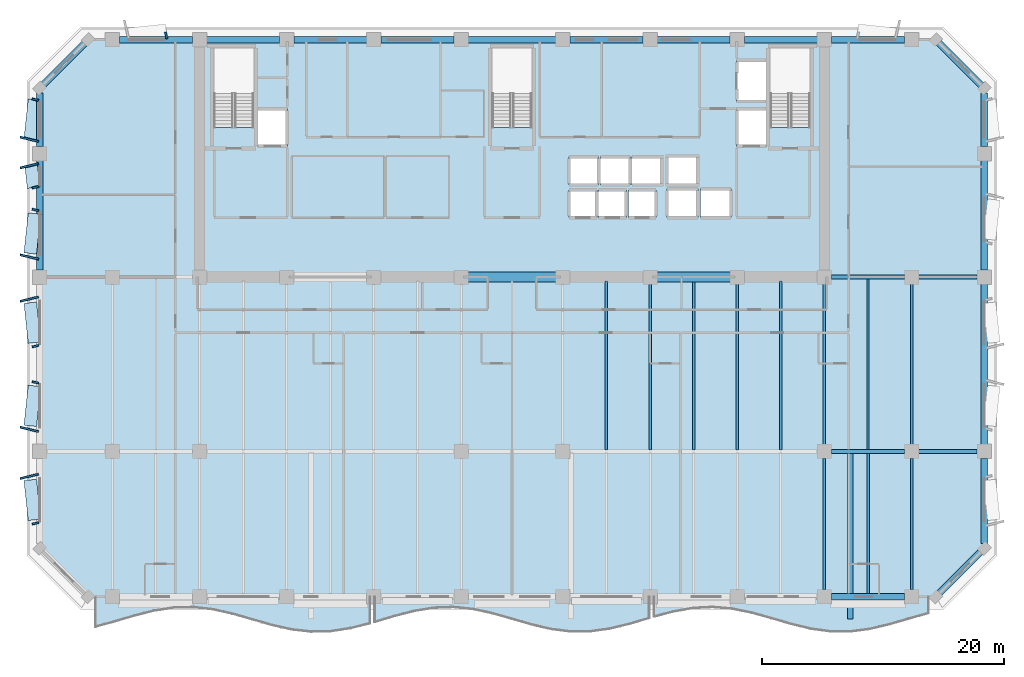
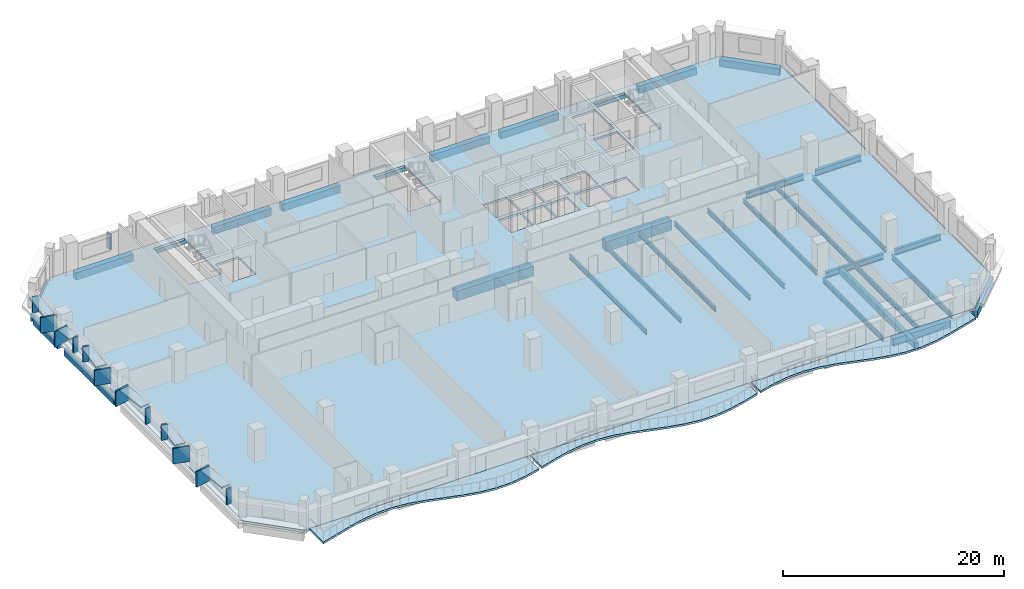
# One storey, part 2 of 14: 37 beams, 19 plates, 4 slabs.
"""IFC4 building model written with IfcOpenShell, lengths in metres."""

from ifc_helpers import new_model, si_unit, direction, frame, origin, origin_2d, place, context, subcontext, project, spatial, polyline, rectangle, i_section, outline, extrude, material, layer, layer_set, material_profile, profile_set, type_object, element, save


model = new_model("IFC4")

# Units and contexts
model_context = context("Model", 3, precision=1e-05, world=origin(), true_north=direction((0.0, 1.0)))
body_context = subcontext(model_context, "Body", "Model", "MODEL_VIEW")
ifc_project = project(units=[si_unit("LENGTHUNIT", "METRE"), si_unit("AREAUNIT", "SQUARE_METRE"), si_unit("VOLUMEUNIT", "CUBIC_METRE"), si_unit("PLANEANGLEUNIT", "RADIAN"), si_unit("MASSUNIT", "GRAM", prefix="KILO")], contexts=[model_context])

# Site, building, storey
site_placement = place(None, origin())
site = spatial("IfcSite", under=ifc_project, at=site_placement, CompositionType="ELEMENT")
building_placement = place(site_placement, origin())
building = spatial("IfcBuilding", under=site, at=building_placement, Name="Kaelvorn Grand Hotel", CompositionType="ELEMENT")
storey_placement = place(building_placement, frame((0.0, 0.0, 220.550048828125)))
storey = spatial("IfcBuildingStorey", under=building, at=storey_placement, Name="L54", CompositionType="ELEMENT", Elevation=220.550048828125)

# Beams
ifc_material_1 = material(Name="Steel S355", Category="steel")
ifc_material_profile_1 = material_profile(ifc_material_1, i_section(OverallWidth=0.300048828125, OverallDepth=0.64990234375, WebThickness=0.01611328125, FlangeThickness=0.031005859375, FilletRadius=0.027099609375, at=origin_2d()), Name="HEB 650")
ifc_profile_set_1 = profile_set([ifc_material_profile_1], Name="Steel S355")
beam_type_1 = type_object("IfcBeamType", Name="BM-G-HEB650-S355", PredefinedType="BEAM", material=ifc_profile_set_1)
beam_1_placement = place(storey_placement, frame((68.385009765625, 15.0, -0.56494140625), z_axis=(1.0, 0.0, 0.0), x_axis=(0.0, 1.0, 0.0)))
element("IfcBeam", 1, at=beam_1_placement, inside=storey, type_object=beam_type_1, Name="L54 Primary Spine Steel Girder G-15 06", PredefinedType="BEAM", context=body_context, shape_type="SweptSolid", body=[
    extrude(i_section(OverallWidth=0.300048828125, OverallDepth=0.64990234375, WebThickness=0.01611328125, FlangeThickness=0.031005859375, FilletRadius=0.027099609375, at=origin_2d()), origin(), (0.0, 0.0, 1.0), 6.030029296875),
])
beam_2_placement = place(storey_placement, frame((75.5849609375, 15.0, -0.56494140625), z_axis=(1.0, 0.0, 0.0), x_axis=(0.0, 1.0, 0.0)))
element("IfcBeam", 2, at=beam_2_placement, inside=storey, type_object=beam_type_1, Name="L54 Primary Spine Steel Girder G-15 07", PredefinedType="BEAM", context=body_context, shape_type="SweptSolid", body=[
    extrude(i_section(OverallWidth=0.300048828125, OverallDepth=0.64990234375, WebThickness=0.01611328125, FlangeThickness=0.031005859375, FilletRadius=0.027099609375, at=origin_2d()), origin(), (0.0, 0.0, 1.0), 4.830078125),
])
beam_3_placement = place(storey_placement, frame((68.385009765625, 29.39990234375, -0.56494140625), z_axis=(1.0, 0.0, 0.0), x_axis=(0.0, 1.0, 0.0)))
element("IfcBeam", 3, at=beam_3_placement, inside=storey, type_object=beam_type_1, Name="L54 East Core Wing Steel Girder G-29E 01", PredefinedType="BEAM", context=body_context, shape_type="SweptSolid", body=[
    extrude(i_section(OverallWidth=0.300048828125, OverallDepth=0.64990234375, WebThickness=0.01611328125, FlangeThickness=0.031005859375, FilletRadius=0.027099609375, at=origin_2d()), origin(), (0.0, 0.0, 1.0), 6.030029296875),
])
beam_4_placement = place(storey_placement, frame((75.5849609375, 29.39990234375, -0.56494140625), z_axis=(1.0, 0.0, 0.0), x_axis=(0.0, 1.0, 0.0)))
element("IfcBeam", 4, at=beam_4_placement, inside=storey, type_object=beam_type_1, Name="L54 East Core Wing Steel Girder G-29E 02", PredefinedType="BEAM", context=body_context, shape_type="SweptSolid", body=[
    extrude(i_section(OverallWidth=0.300048828125, OverallDepth=0.64990234375, WebThickness=0.01611328125, FlangeThickness=0.031005859375, FilletRadius=0.027099609375, at=origin_2d()), origin(), (0.0, 0.0, 1.0), 4.830078125),
])
ifc_material_profile_2 = material_profile(ifc_material_1, i_section(OverallWidth=0.199951171875, OverallDepth=0.5, WebThickness=0.01025390625, FlangeThickness=0.01611328125, FilletRadius=0.02099609375, at=origin_2d()), Name="IPE 500")
ifc_profile_set_2 = profile_set([ifc_material_profile_2], Name="Steel S355")
beam_type_2 = type_object("IfcBeamType", Name="BM-J-IPE500-S355", PredefinedType="JOIST", material=ifc_profile_set_2)
beam_5_placement = place(storey_placement, frame((49.800048828125, 15.135009765625, -0.489990234375), z_axis=(0.0, 1.0, 0.0), x_axis=(-1.0, 0.0, 0.0)))
element("IfcBeam", 5, at=beam_5_placement, inside=storey, type_object=beam_type_2, Name="L54 Composite Floor Joist JM-14", PredefinedType="JOIST", context=body_context, shape_type="SweptSolid", body=[
    extrude(i_section(OverallWidth=0.199951171875, OverallDepth=0.5, WebThickness=0.01025390625, FlangeThickness=0.01611328125, FilletRadius=0.02099609375, at=origin_2d()), origin(), (0.0, 0.0, 1.0), 13.925048828125),
])
beam_6_placement = place(storey_placement, frame((53.39990234375, 15.135009765625, -0.489990234375), z_axis=(0.0, 1.0, 0.0), x_axis=(-1.0, 0.0, 0.0)))
element("IfcBeam", 6, at=beam_6_placement, inside=storey, type_object=beam_type_2, Name="L54 Composite Floor Joist JM-15", PredefinedType="JOIST", context=body_context, shape_type="SweptSolid", body=[
    extrude(i_section(OverallWidth=0.199951171875, OverallDepth=0.5, WebThickness=0.01025390625, FlangeThickness=0.01611328125, FilletRadius=0.02099609375, at=origin_2d()), origin(), (0.0, 0.0, 1.0), 13.679931640625),
])
beam_7_placement = place(storey_placement, frame((57.0, 15.135009765625, -0.489990234375), z_axis=(0.0, 1.0, 0.0), x_axis=(-1.0, 0.0, 0.0)))
element("IfcBeam", 7, at=beam_7_placement, inside=storey, type_object=beam_type_2, Name="L54 Composite Floor Joist JM-16", PredefinedType="JOIST", context=body_context, shape_type="SweptSolid", body=[
    extrude(i_section(OverallWidth=0.199951171875, OverallDepth=0.5, WebThickness=0.01025390625, FlangeThickness=0.01611328125, FilletRadius=0.02099609375, at=origin_2d()), origin(), (0.0, 0.0, 1.0), 13.925048828125),
])
beam_8_placement = place(storey_placement, frame((60.60009765625, 15.135009765625, -0.489990234375), z_axis=(0.0, 1.0, 0.0), x_axis=(-1.0, 0.0, 0.0)))
element("IfcBeam", 8, at=beam_8_placement, inside=storey, type_object=beam_type_2, Name="L54 Composite Floor Joist JM-17", PredefinedType="JOIST", context=body_context, shape_type="SweptSolid", body=[
    extrude(i_section(OverallWidth=0.199951171875, OverallDepth=0.5, WebThickness=0.01025390625, FlangeThickness=0.01611328125, FilletRadius=0.02099609375, at=origin_2d()), origin(), (0.0, 0.0, 1.0), 13.679931640625),
])
beam_9_placement = place(storey_placement, frame((64.199951171875, 15.135009765625, -0.489990234375), z_axis=(0.0, 1.0, 0.0), x_axis=(-1.0, 0.0, 0.0)))
element("IfcBeam", 9, at=beam_9_placement, inside=storey, type_object=beam_type_2, Name="L54 Composite Floor Joist JM-18", PredefinedType="JOIST", context=body_context, shape_type="SweptSolid", body=[
    extrude(i_section(OverallWidth=0.199951171875, OverallDepth=0.5, WebThickness=0.01025390625, FlangeThickness=0.01611328125, FilletRadius=0.02099609375, at=origin_2d()), origin(), (0.0, 0.0, 1.0), 13.925048828125),
])
beam_10_placement = place(storey_placement, frame((67.800048828125, 15.5849609375, -0.489990234375), z_axis=(0.0, 1.0, 0.0), x_axis=(-1.0, 0.0, 0.0)))
element("IfcBeam", 10, at=beam_10_placement, inside=storey, type_object=beam_type_2, Name="L54 Composite Floor Joist JM-19", PredefinedType="JOIST", context=body_context, shape_type="SweptSolid", body=[
    extrude(i_section(OverallWidth=0.199951171875, OverallDepth=0.5, WebThickness=0.01025390625, FlangeThickness=0.01611328125, FilletRadius=0.02099609375, at=origin_2d()), origin(), (0.0, 0.0, 1.0), 13.22998046875),
])
beam_11_placement = place(storey_placement, frame((71.39990234375, 15.135009765625, -0.489990234375), z_axis=(0.0, 1.0, 0.0), x_axis=(-1.0, 0.0, 0.0)))
element("IfcBeam", 11, at=beam_11_placement, inside=storey, type_object=beam_type_2, Name="L54 Composite Floor Joist JM-20", PredefinedType="JOIST", context=body_context, shape_type="SweptSolid", body=[
    extrude(i_section(OverallWidth=0.199951171875, OverallDepth=0.5, WebThickness=0.01025390625, FlangeThickness=0.01611328125, FilletRadius=0.02099609375, at=origin_2d()), origin(), (0.0, 0.0, 1.0), 14.1298828125),
])
beam_12_placement = place(storey_placement, frame((75.0, 15.5849609375, -0.489990234375), z_axis=(0.0, 1.0, 0.0), x_axis=(-1.0, 0.0, 0.0)))
element("IfcBeam", 12, at=beam_12_placement, inside=storey, type_object=beam_type_2, Name="L54 Composite Floor Joist JM-21", PredefinedType="JOIST", context=body_context, shape_type="SweptSolid", body=[
    extrude(i_section(OverallWidth=0.199951171875, OverallDepth=0.5, WebThickness=0.01025390625, FlangeThickness=0.01611328125, FilletRadius=0.02099609375, at=origin_2d()), origin(), (0.0, 0.0, 1.0), 13.22998046875),
])
ifc_material_profile_3 = material_profile(ifc_material_1, i_section(OverallWidth=0.2099609375, OverallDepth=0.550048828125, WebThickness=0.010986328125, FlangeThickness=0.01708984375, FilletRadius=0.02392578125, at=origin_2d()), Name="IPE 550")
ifc_profile_set_3 = profile_set([ifc_material_profile_3], Name="Steel S355")
beam_type_3 = type_object("IfcBeamType", Name="BM-J-IPE550-S355", PredefinedType="JOIST", material=ifc_profile_set_3)
beam_13_placement = place(storey_placement, frame((67.800048828125, 3.5849609375, -0.51513671875), z_axis=(0.0, 1.0, 0.0), x_axis=(-1.0, 0.0, 0.0)))
element("IfcBeam", 13, at=beam_13_placement, inside=storey, type_object=beam_type_3, Name="L54 Composite Floor Joist JS-19", PredefinedType="JOIST", context=body_context, shape_type="SweptSolid", body=[
    extrude(i_section(OverallWidth=0.2099609375, OverallDepth=0.550048828125, WebThickness=0.010986328125, FlangeThickness=0.01708984375, FilletRadius=0.02392578125, at=origin_2d()), origin(), (0.0, 0.0, 1.0), 10.830078125),
])
beam_14_placement = place(storey_placement, frame((71.39990234375, 3.260009765625, -0.51513671875), z_axis=(0.0, 1.0, 0.0), x_axis=(-1.0, 0.0, 0.0)))
element("IfcBeam", 14, at=beam_14_placement, inside=storey, type_object=beam_type_3, Name="L54 Composite Floor Joist JS-20", PredefinedType="JOIST", context=body_context, shape_type="SweptSolid", body=[
    extrude(i_section(OverallWidth=0.2099609375, OverallDepth=0.550048828125, WebThickness=0.010986328125, FlangeThickness=0.01708984375, FilletRadius=0.02392578125, at=origin_2d()), origin(), (0.0, 0.0, 1.0), 11.60498046875),
])
beam_15_placement = place(storey_placement, frame((75.0, 3.5849609375, -0.51513671875), z_axis=(0.0, 1.0, 0.0), x_axis=(-1.0, 0.0, 0.0)))
element("IfcBeam", 15, at=beam_15_placement, inside=storey, type_object=beam_type_3, Name="L54 Composite Floor Joist JS-21", PredefinedType="JOIST", context=body_context, shape_type="SweptSolid", body=[
    extrude(i_section(OverallWidth=0.2099609375, OverallDepth=0.550048828125, WebThickness=0.010986328125, FlangeThickness=0.01708984375, FilletRadius=0.02392578125, at=origin_2d()), origin(), (0.0, 0.0, 1.0), 10.830078125),
])
ifc_material_2 = material(Name="Concrete C60/75", Category="concrete")
ifc_material_profile_4 = material_profile(ifc_material_2, rectangle(XDim=0.800048828125, YDim=1.10009765625, at=origin_2d()), Name="RC LINTEL 800x1100")
ifc_profile_set_4 = profile_set([ifc_material_profile_4], Name="Concrete C60/75")
beam_type_4 = type_object("IfcBeamType", Name="BM-LIN-800x1100-C60", PredefinedType="LINTEL", material=ifc_profile_set_4)
beam_16_placement = place(storey_placement, frame((37.97998046875, 29.39990234375, -0.7900390625), z_axis=(1.0, 0.0, 0.0), x_axis=(0.0, 1.0, 0.0)))
element("IfcBeam", 16, at=beam_16_placement, inside=storey, type_object=beam_type_4, Name="L54 Rear-Core Coupling Lintel Beam CB1-02", PredefinedType="LINTEL", context=body_context, shape_type="SweptSolid", body=[
    extrude(rectangle(XDim=0.800048828125, YDim=1.10009765625, at=origin_2d()), origin(), (0.0, 0.0, 1.0), 8.0400390625),
])
beam_17_placement = place(storey_placement, frame((53.580078125, 29.39990234375, -0.7900390625), z_axis=(1.0, 0.0, 0.0), x_axis=(0.0, 1.0, 0.0)))
element("IfcBeam", 17, at=beam_17_placement, inside=storey, type_object=beam_type_4, Name="L54 Rear-Core Coupling Lintel Beam CB1-03", PredefinedType="LINTEL", context=body_context, shape_type="SweptSolid", body=[
    extrude(rectangle(XDim=0.800048828125, YDim=1.10009765625, at=origin_2d()), origin(), (0.0, 0.0, 1.0), 6.83984375),
])
ifc_material_3 = material(Name="Concrete C40/50", Category="concrete")
ifc_material_profile_5 = material_profile(ifc_material_3, rectangle(XDim=0.449951171875, YDim=0.64990234375, at=origin_2d()), Name="RC RIB 450x650")
ifc_profile_set_5 = profile_set([ifc_material_profile_5], Name="Concrete C40/50")
beam_type_5 = type_object("IfcBeamType", Name="BM-RIB-450x650-C40", PredefinedType="SPANDREL", material=ifc_profile_set_5)
beam_18_placement = place(storey_placement, frame((69.923828125, 1.14990234375, -0.545166015625), z_axis=(0.0, 1.0, 0.0), x_axis=(-1.0, 0.0, 0.0)))
element("IfcBeam", 18, at=beam_18_placement, inside=storey, type_object=beam_type_5, Name="L54 Cantilevered Balcony Back-Span Rib RB1-3", PredefinedType="SPANDREL", context=body_context, shape_type="SweptSolid", body=[
    extrude(rectangle(XDim=0.449951171875, YDim=0.64990234375, at=origin_2d()), origin(), (0.0, 0.0, 1.0), 13.715087890625),
])
ifc_material_4 = material(Name="Concrete C50/60", Category="concrete")
ifc_material_profile_6 = material_profile(ifc_material_4, rectangle(XDim=0.550048828125, YDim=0.800048828125, at=origin_2d()), Name="RC SPANDREL 550x800")
ifc_profile_set_6 = profile_set([ifc_material_profile_6], Name="Concrete C50/60")
beam_type_6 = type_object("IfcBeamType", Name="BM-SP-550x800-C50", PredefinedType="SPANDREL", material=ifc_profile_set_6)
for number, where, z_axis, x_axis, name in (
    (19, (68.385009765625, 3.0, -0.64013671875), (1.0, 0.0, 0.0), (0.0, 1.0, 0.0), "L54 South Perimeter Spandrel 10"),
    (20, (9.5849609375, 49.0, -0.64013671875), (1.0, 0.0, 0.0), (0.0, 1.0, 0.0), "L54 North Perimeter Spandrel 02"),
    (21, (16.784912109375, 49.0, -0.64013671875), (1.0, 0.0, 0.0), (0.0, 1.0, 0.0), "L54 North Perimeter Spandrel 03"),
):
    element("IfcBeam", number, at=place(storey_placement, frame(where, z_axis=z_axis, x_axis=x_axis)), inside=storey, type_object=beam_type_6, Name=name, PredefinedType="SPANDREL", context=body_context, shape_type="SweptSolid", body=[
        extrude(rectangle(XDim=0.550048828125, YDim=0.800048828125, at=origin_2d()), origin(), (0.0, 0.0, 1.0), 6.030029296875),
    ])
beam_19_placement = place(storey_placement, frame((23.985107421875, 49.0, -0.64013671875), z_axis=(1.0, 0.0, 0.0), x_axis=(0.0, 1.0, 0.0)))
element("IfcBeam", 22, at=beam_19_placement, inside=storey, type_object=beam_type_6, Name="L54 North Perimeter Spandrel 04", PredefinedType="SPANDREL", context=body_context, shape_type="SweptSolid", body=[
    extrude(rectangle(XDim=0.550048828125, YDim=0.800048828125, at=origin_2d()), origin(), (0.0, 0.0, 1.0), 6.02978515625),
])
beam_20_placement = place(storey_placement, frame((31.18505859375, 49.0, -0.64013671875), z_axis=(1.0, 0.0, 0.0), x_axis=(0.0, 1.0, 0.0)))
element("IfcBeam", 23, at=beam_20_placement, inside=storey, type_object=beam_type_6, Name="L54 North Perimeter Spandrel 05", PredefinedType="SPANDREL", context=body_context, shape_type="SweptSolid", body=[
    extrude(rectangle(XDim=0.550048828125, YDim=0.800048828125, at=origin_2d()), origin(), (0.0, 0.0, 1.0), 6.030029296875),
])
beam_21_placement = place(storey_placement, frame((38.385009765625, 49.0, -0.64013671875), z_axis=(1.0, 0.0, 0.0), x_axis=(0.0, 1.0, 0.0)))
element("IfcBeam", 24, at=beam_21_placement, inside=storey, type_object=beam_type_6, Name="L54 North Perimeter Spandrel 06", PredefinedType="SPANDREL", context=body_context, shape_type="SweptSolid", body=[
    extrude(rectangle(XDim=0.550048828125, YDim=0.800048828125, at=origin_2d()), origin(), (0.0, 0.0, 1.0), 7.22998046875),
])
beam_22_placement = place(storey_placement, frame((46.784912109375, 49.0, -0.64013671875), z_axis=(1.0, 0.0, 0.0), x_axis=(0.0, 1.0, 0.0)))
element("IfcBeam", 25, at=beam_22_placement, inside=storey, type_object=beam_type_6, Name="L54 North Perimeter Spandrel 07", PredefinedType="SPANDREL", context=body_context, shape_type="SweptSolid", body=[
    extrude(rectangle(XDim=0.550048828125, YDim=0.800048828125, at=origin_2d()), origin(), (0.0, 0.0, 1.0), 6.030029296875),
])
beam_23_placement = place(storey_placement, frame((53.985107421875, 49.0, -0.64013671875), z_axis=(1.0, 0.0, 0.0), x_axis=(0.0, 1.0, 0.0)))
element("IfcBeam", 26, at=beam_23_placement, inside=storey, type_object=beam_type_6, Name="L54 North Perimeter Spandrel 08", PredefinedType="SPANDREL", context=body_context, shape_type="SweptSolid", body=[
    extrude(rectangle(XDim=0.550048828125, YDim=0.800048828125, at=origin_2d()), origin(), (0.0, 0.0, 1.0), 6.02978515625),
])
for number, where, z_axis, x_axis, name in (
    (27, (61.18505859375, 49.0, -0.64013671875), (1.0, 0.0, 0.0), (0.0, 1.0, 0.0), "L54 North Perimeter Spandrel 09"),
    (28, (68.385009765625, 49.0, -0.64013671875), (1.0, 0.0, 0.0), (0.0, 1.0, 0.0), "L54 North Perimeter Spandrel 10"),
):
    element("IfcBeam", number, at=place(storey_placement, frame(where, z_axis=z_axis, x_axis=x_axis)), inside=storey, type_object=beam_type_6, Name=name, PredefinedType="SPANDREL", context=body_context, shape_type="SweptSolid", body=[
        extrude(rectangle(XDim=0.550048828125, YDim=0.800048828125, at=origin_2d()), origin(), (0.0, 0.0, 1.0), 6.030029296875),
    ])
beam_24_placement = place(storey_placement, frame((3.0, 29.985107421875, -0.64013671875), z_axis=(0.0, 1.0, 0.0), x_axis=(-1.0, 0.0, 0.0)))
element("IfcBeam", 29, at=beam_24_placement, inside=storey, type_object=beam_type_6, Name="L54 West Perimeter Spandrel 03", PredefinedType="SPANDREL", context=body_context, shape_type="SweptSolid", body=[
    extrude(rectangle(XDim=0.550048828125, YDim=0.800048828125, at=origin_2d()), origin(), (0.0, 0.0, 1.0), 9.02978515625),
])
beam_25_placement = place(storey_placement, frame((3.0, 40.18505859375, -0.64013671875), z_axis=(0.0, 1.0, 0.0), x_axis=(-1.0, 0.0, 0.0)))
element("IfcBeam", 30, at=beam_25_placement, inside=storey, type_object=beam_type_6, Name="L54 West Perimeter Spandrel 04", PredefinedType="SPANDREL", context=body_context, shape_type="SweptSolid", body=[
    extrude(rectangle(XDim=0.550048828125, YDim=0.800048828125, at=origin_2d()), origin(), (0.0, 0.0, 1.0), 4.409912109375),
])
beam_26_placement = place(storey_placement, frame((81.0, 7.405029296875, -0.64013671875), z_axis=(0.0, 1.0, 0.0), x_axis=(-1.0, 0.0, 0.0)))
element("IfcBeam", 31, at=beam_26_placement, inside=storey, type_object=beam_type_6, Name="L54 East Perimeter Spandrel 01", PredefinedType="SPANDREL", context=body_context, shape_type="SweptSolid", body=[
    extrude(rectangle(XDim=0.550048828125, YDim=0.800048828125, at=origin_2d()), origin(), (0.0, 0.0, 1.0), 7.010009765625),
])
beam_27_placement = place(storey_placement, frame((81.0, 15.5849609375, -0.64013671875), z_axis=(0.0, 1.0, 0.0), x_axis=(-1.0, 0.0, 0.0)))
element("IfcBeam", 32, at=beam_27_placement, inside=storey, type_object=beam_type_6, Name="L54 East Perimeter Spandrel 02", PredefinedType="SPANDREL", context=body_context, shape_type="SweptSolid", body=[
    extrude(rectangle(XDim=0.550048828125, YDim=0.800048828125, at=origin_2d()), origin(), (0.0, 0.0, 1.0), 13.22998046875),
])
beam_28_placement = place(storey_placement, frame((81.0, 29.985107421875, -0.64013671875), z_axis=(0.0, 1.0, 0.0), x_axis=(-1.0, 0.0, 0.0)))
element("IfcBeam", 33, at=beam_28_placement, inside=storey, type_object=beam_type_6, Name="L54 East Perimeter Spandrel 03", PredefinedType="SPANDREL", context=body_context, shape_type="SweptSolid", body=[
    extrude(rectangle(XDim=0.550048828125, YDim=0.800048828125, at=origin_2d()), origin(), (0.0, 0.0, 1.0), 9.02978515625),
])
beam_29_placement = place(storey_placement, frame((81.0, 40.18505859375, -0.64013671875), z_axis=(0.0, 1.0, 0.0), x_axis=(-1.0, 0.0, 0.0)))
element("IfcBeam", 34, at=beam_29_placement, inside=storey, type_object=beam_type_6, Name="L54 East Perimeter Spandrel 04", PredefinedType="SPANDREL", context=body_context, shape_type="SweptSolid", body=[
    extrude(rectangle(XDim=0.550048828125, YDim=0.800048828125, at=origin_2d()), origin(), (0.0, 0.0, 1.0), 4.409912109375),
])
for number, where, z_axis, x_axis, name in (
    (35, (77.0, 3.0, -0.64013671875), (0.707106781187, 0.707106781187, 0.0), (-0.707106781187, 0.707106781187, 0.0), "L54 Chamfer Spandrel Beam 1"),
    (36, (81.0, 45.0, -0.64013671875), (-0.707106781187, 0.707106781187, 0.0), (-0.707106781187, -0.707106781187, 0.0), "L54 Chamfer Spandrel Beam 2"),
    (37, (7.0, 49.0, -0.64013671875), (-0.707106781187, -0.707106781187, 0.0), (0.707106781187, -0.707106781187, 0.0), "L54 Chamfer Spandrel Beam 3"),
):
    element("IfcBeam", number, at=place(storey_placement, frame(where, z_axis=z_axis, x_axis=x_axis)), inside=storey, type_object=beam_type_6, Name=name, PredefinedType="SPANDREL", context=body_context, shape_type="SweptSolid", body=[
        extrude(rectangle(XDim=0.550048828125, YDim=0.800048828125, at=origin_2d()), origin(), (0.0, 0.0, 1.0), 5.65673828125),
    ])

# Plates
ifc_material_5 = material(Name="Precast concrete C45/55", Category="concrete")
ifc_layer_1 = layer(ifc_material_5, 0.159912109375)
ifc_layer_set_1 = layer_set([ifc_layer_1], Name="Precast concrete C45/55")
plate_type_1 = type_object("IfcPlateType", Name="PL-FRAME-DEEP-1550", PredefinedType="USERDEFINED", material=ifc_layer_set_1)
for number, where, z_axis, x_axis, name in (
    (38, (2.14501953125, 12.93994140625, 0.81494140625), (0.0, 0.0, 1.0), (-0.233445363856, 0.972369920398, 0.0), "L54 Tilted Precast Window Frame Fin R-W01"),
    (39, (2.14501953125, 16.824951171875, 0.81494140625), (0.0, 0.0, 1.0), (0.233445363856, 0.972369920398, 0.0), "L54 Tilted Precast Window Frame Fin L-W02"),
    (40, (2.14501953125, 27.574951171875, 0.81494140625), (0.0, 0.0, 1.0), (-0.233445363856, 0.972369920398, 0.0), "L54 Tilted Precast Window Frame Fin R-W03"),
    (41, (2.14501953125, 31.06005859375, 0.81494140625), (0.0, 0.0, 1.0), (0.233445363856, 0.972369920398, 0.0), "L54 Tilted Precast Window Frame Fin L-W04"),
    (42, (2.14501953125, 38.590087890625, 0.68994140625), (0.0, 0.0, 1.0), (-0.233445363856, 0.972369920398, 0.0), "L54 Tilted Precast Window Frame Fin R-W05"),
    (43, (2.14501953125, 40.77490234375, 0.73974609375), (0.0, 0.0, 1.0), (0.233445363856, 0.972369920398, 0.0), "L54 Tilted Precast Window Frame Fin L-W06"),
):
    element("IfcPlate", number, at=place(storey_placement, frame(where, z_axis=z_axis, x_axis=x_axis)), inside=storey, type_object=plate_type_1, Name=name, ObjectType="FLANGE_PLATE", PredefinedType="USERDEFINED", context=body_context, shape_type="SweptSolid", body=[
        extrude(rectangle(XDim=0.159912109375, YDim=1.550048828125, at=origin_2d()), origin(), (0.0, 0.0, 1.0), 1.719970703125),
    ])
ifc_layer_2 = layer(ifc_material_5, 0.159912109375)
ifc_layer_set_2 = layer_set([ifc_layer_2], Name="Precast concrete C45/55")
plate_type_2 = type_object("IfcPlateType", Name="PL-FRAME-HEAD-1050", PredefinedType="USERDEFINED", material=ifc_layer_set_2)
for number, where, z_axis, x_axis, name in (
    (44, (2.39501953125, 11.0, 2.5), (0.0, 0.0, 1.0), (-0.105830199459, 0.994384215926, 0.0), "L54 Precast Window Frame Head Hood H-W01"),
    (45, (2.39501953125, 18.764892578125, 2.5), (0.0, 0.0, 1.0), (0.105830199459, 0.994384215926, 0.0), "L54 Precast Window Frame Head Hood H-W02"),
    (46, (2.39501953125, 25.635009765625, 2.5), (0.0, 0.0, 1.0), (-0.105830199459, 0.994384215926, 0.0), "L54 Precast Window Frame Head Hood H-W03"),
    (47, (2.39501953125, 33.0, 2.5), (0.0, 0.0, 1.0), (0.105830199459, 0.994384215926, 0.0), "L54 Precast Window Frame Head Hood H-W04"),
):
    element("IfcPlate", number, at=place(storey_placement, frame(where, z_axis=z_axis, x_axis=x_axis)), inside=storey, type_object=plate_type_2, Name=name, ObjectType="FLANGE_PLATE", PredefinedType="USERDEFINED", context=body_context, shape_type="SweptSolid", body=[
        extrude(rectangle(XDim=3.320068359375, YDim=1.050048828125, at=origin_2d()), origin(), (0.0, 0.0, 1.0), 0.159912109375),
    ])
plate_1_placement = place(storey_placement, frame((2.39501953125, 37.699951171875, 2.25), z_axis=(0.0, 0.0, 1.0), x_axis=(-0.105830199459, 0.994384215926, 0.0)))
element("IfcPlate", 48, at=plate_1_placement, inside=storey, type_object=plate_type_2, Name="L54 Precast Window Frame Head Hood H-W05", ObjectType="FLANGE_PLATE", PredefinedType="USERDEFINED", context=body_context, shape_type="SweptSolid", body=[
    extrude(rectangle(XDim=1.860107421875, YDim=1.050048828125, at=origin_2d()), origin(), (0.0, 0.0, 1.0), 0.159912109375),
])
plate_2_placement = place(storey_placement, frame((2.39501953125, 42.4150390625, 2.35009765625), z_axis=(0.0, 0.0, 1.0), x_axis=(0.105830199459, 0.994384215926, 0.0)))
element("IfcPlate", 49, at=plate_2_placement, inside=storey, type_object=plate_type_2, Name="L54 Precast Window Frame Head Hood H-W06", ObjectType="FLANGE_PLATE", PredefinedType="USERDEFINED", context=body_context, shape_type="SweptSolid", body=[
    extrude(rectangle(XDim=3.320068359375, YDim=1.050048828125, at=origin_2d()), origin(), (0.0, 0.0, 1.0), 0.159912109375),
])
ifc_layer_3 = layer(ifc_material_5, 0.159912109375)
ifc_layer_set_3 = layer_set([ifc_layer_3], Name="Precast concrete C45/55")
plate_type_3 = type_object("IfcPlateType", Name="PL-FRAME-SHAL-550", PredefinedType="USERDEFINED", material=ifc_layer_set_3)
for number, where, z_axis, x_axis, name in (
    (50, (2.64501953125, 9.06005859375, 0.81494140625), (0.0, 0.0, 1.0), (-0.233445363856, 0.972369920398, 0.0), "L54 Tilted Precast Window Frame Fin L-W01"),
    (51, (2.64501953125, 20.705078125, 0.81494140625), (0.0, 0.0, 1.0), (0.233445363856, 0.972369920398, 0.0), "L54 Tilted Precast Window Frame Fin R-W02"),
    (52, (2.64501953125, 23.695068359375, 0.81494140625), (0.0, 0.0, 1.0), (-0.233445363856, 0.972369920398, 0.0), "L54 Tilted Precast Window Frame Fin L-W03"),
    (53, (2.64501953125, 34.93994140625, 0.81494140625), (0.0, 0.0, 1.0), (0.233445363856, 0.972369920398, 0.0), "L54 Tilted Precast Window Frame Fin R-W04"),
    (54, (2.64501953125, 36.81005859375, 0.68994140625), (0.0, 0.0, 1.0), (-0.233445363856, 0.972369920398, 0.0), "L54 Tilted Precast Window Frame Fin L-W05"),
    (55, (2.64501953125, 44.054931640625, 0.73974609375), (0.0, 0.0, 1.0), (0.233445363856, 0.972369920398, 0.0), "L54 Tilted Precast Window Frame Fin R-W06"),
    (56, (13.43994140625, 49.35498046875, 0.73974609375), (0.0, 0.0, 1.0), (0.972369920398, 0.233445363856, 0.0), "L54 Tilted Precast Window Frame Fin R-N01"),
):
    element("IfcPlate", number, at=place(storey_placement, frame(where, z_axis=z_axis, x_axis=x_axis)), inside=storey, type_object=plate_type_3, Name=name, ObjectType="FLANGE_PLATE", PredefinedType="USERDEFINED", context=body_context, shape_type="SweptSolid", body=[
        extrude(rectangle(XDim=0.159912109375, YDim=0.550048828125, at=origin_2d()), origin(), (0.0, 0.0, 1.0), 1.719970703125),
    ])

# Slabs
ifc_layer_4 = layer(ifc_material_3, 0.219970703125)
ifc_layer_set_4 = layer_set([ifc_layer_4], Name="Concrete C40/50")
slab_type_1 = type_object("IfcSlabType", Name="SLB-BALC-220-C40", PredefinedType="FLOOR", material=ifc_layer_set_4)
slab_1_placement = place(storey_placement, frame((0.0, 0.0, -0.219970703125)))
element("IfcSlab", 57, at=slab_1_placement, inside=storey, type_object=slab_type_1, Name="L54 Scalloped Wave Balcony Slab 1", PredefinedType="FLOOR", context=body_context, shape_type="SweptSolid", body=[
    extrude(outline(polyline([(7.60009765625, 0.5224609375), (9.218994140625, 0.96435546875), (10.838134765625, 1.441162109375), (12.45703125, 1.84912109375), (14.076171875, 2.099365234375), (15.6953125, 2.1376953125), (17.314208984375, 1.955322265625), (18.933349609375, 1.592041015625), (20.552490234375, 1.127197265625), (22.17138671875, 0.661865234375), (23.79052734375, 0.29736328125), (25.409423828125, 0.113037109375), (27.028564453125, 0.149169921875), (28.647705078125, 0.397705078125), (30.2666015625, 0.804443359375), (30.2666015625, 3.0), (7.60009765625, 3.0), (7.60009765625, 0.5224609375)])), origin(), (0.0, 0.0, 1.0), 0.219970703125),
])
slab_2_placement = place(storey_placement, frame((0.0, 0.0, -0.219970703125)))
element("IfcSlab", 58, at=slab_2_placement, inside=storey, type_object=slab_type_1, Name="L54 Scalloped Wave Balcony Slab 2", PredefinedType="FLOOR", context=body_context, shape_type="SweptSolid", body=[
    extrude(outline(polyline([(30.666748046875, 0.919677734375), (32.28564453125, 1.397705078125), (33.90478515625, 1.81640625), (35.52392578125, 2.08447265625), (37.142822265625, 2.1435546875), (38.761962890625, 1.98095703125), (40.380859375, 1.632080078125), (42.0, 1.172607421875), (43.619140625, 0.702880859375), (45.238037109375, 0.324951171875), (46.857177734375, 0.121337890625), (48.47607421875, 0.13623046875), (50.09521484375, 0.3662109375), (51.71435546875, 0.76171875), (53.333251953125, 1.236083984375), (53.333251953125, 3.0), (30.666748046875, 3.0), (30.666748046875, 0.919677734375)])), origin(), (0.0, 0.0, 1.0), 0.219970703125),
])
slab_3_placement = place(storey_placement, frame((0.0, 0.0, -0.219970703125)))
element("IfcSlab", 59, at=slab_3_placement, inside=storey, type_object=slab_type_1, Name="L54 Scalloped Wave Balcony Slab 3", PredefinedType="FLOOR", context=body_context, shape_type="SweptSolid", body=[
    extrude(outline(polyline([(53.7333984375, 1.353759765625), (55.352294921875, 1.7822265625), (56.971435546875, 2.067626953125), (58.590576171875, 2.147705078125), (60.20947265625, 2.005126953125), (61.82861328125, 1.671142578125), (63.447509765625, 1.218017578125), (65.066650390625, 0.74462890625), (66.685791015625, 0.354248046875), (68.3046875, 0.131591796875), (69.923828125, 0.125244140625), (71.54296875, 0.33642578125), (73.161865234375, 0.719482421875), (74.781005859375, 1.19091796875), (76.39990234375, 1.647705078125), (76.39990234375, 3.0), (53.7333984375, 3.0), (53.7333984375, 1.353759765625)])), origin(), (0.0, 0.0, 1.0), 0.219970703125),
])
ifc_layer_5 = layer(ifc_material_3, 0.239990234375)
ifc_layer_set_5 = layer_set([ifc_layer_5], Name="Concrete C40/50")
slab_type_2 = type_object("IfcSlabType", Name="SLB-FLR-240-C40", PredefinedType="FLOOR", material=ifc_layer_set_5)
slab_4_placement = place(storey_placement, frame((0.0, 0.0, -0.239990234375)))
element("IfcSlab", 60, at=slab_4_placement, inside=storey, type_object=slab_type_2, Name="L54 Indoor Suspended Floor Slab", PredefinedType="FLOOR", context=body_context, shape_type="SweptSolid", body=[
    extrude(outline(polyline([(7.0, 3.0), (77.0, 3.0), (81.0, 7.0), (81.0, 45.0), (77.0, 49.0), (7.0, 49.0), (3.0, 45.0), (3.0, 7.0), (7.0, 3.0)]), holes=[polyline([(17.39990234375, 41.760009765625), (17.39990234375, 48.300048828125), (20.679931640625, 48.300048828125), (20.679931640625, 41.760009765625), (17.39990234375, 41.760009765625)]), polyline([(40.360107421875, 41.760009765625), (40.360107421875, 48.300048828125), (43.639892578125, 48.300048828125), (43.639892578125, 41.760009765625), (40.360107421875, 41.760009765625)]), polyline([(63.320068359375, 41.760009765625), (63.320068359375, 48.300048828125), (66.60009765625, 48.300048828125), (66.60009765625, 41.760009765625), (63.320068359375, 41.760009765625)]), polyline([(46.699951171875, 34.300048828125), (46.699951171875, 36.60009765625), (49.0, 36.60009765625), (49.0, 34.300048828125), (46.699951171875, 34.300048828125)]), polyline([(49.14990234375, 34.300048828125), (49.14990234375, 36.60009765625), (51.449951171875, 36.60009765625), (51.449951171875, 34.300048828125), (49.14990234375, 34.300048828125)]), polyline([(51.60009765625, 34.300048828125), (51.60009765625, 36.60009765625), (53.89990234375, 36.60009765625), (53.89990234375, 34.300048828125), (51.60009765625, 34.300048828125)]), polyline([(46.699951171875, 37.0), (46.699951171875, 39.35009765625), (49.14990234375, 39.35009765625), (49.14990234375, 37.0), (46.699951171875, 37.0)]), polyline([(49.300048828125, 37.0), (49.300048828125, 39.35009765625), (51.75, 39.35009765625), (51.75, 37.0), (49.300048828125, 37.0)]), polyline([(51.89990234375, 37.0), (51.89990234375, 39.35009765625), (54.35009765625, 39.35009765625), (54.35009765625, 37.0), (51.89990234375, 37.0)]), polyline([(54.800048828125, 34.300048828125), (54.800048828125, 36.699951171875), (57.35009765625, 36.699951171875), (57.35009765625, 34.300048828125), (54.800048828125, 34.300048828125)]), polyline([(57.550048828125, 34.300048828125), (57.550048828125, 36.699951171875), (60.10009765625, 36.699951171875), (60.10009765625, 34.300048828125), (57.550048828125, 34.300048828125)]), polyline([(54.800048828125, 37.0), (54.800048828125, 39.39990234375), (57.35009765625, 39.39990234375), (57.35009765625, 37.0), (54.800048828125, 37.0)]), polyline([(21.0, 40.199951171875), (21.0, 43.300048828125), (23.449951171875, 43.300048828125), (23.449951171875, 40.199951171875), (21.0, 40.199951171875)]), polyline([(60.550048828125, 40.199951171875), (60.550048828125, 43.300048828125), (63.0, 43.300048828125), (63.0, 40.199951171875), (60.550048828125, 40.199951171875)]), polyline([(60.550048828125, 43.89990234375), (60.550048828125, 47.300048828125), (63.0, 47.300048828125), (63.0, 43.89990234375), (60.550048828125, 43.89990234375)])]), origin(), (0.0, 0.0, 1.0), 0.239990234375),
])

save(model, "model.ifc")
